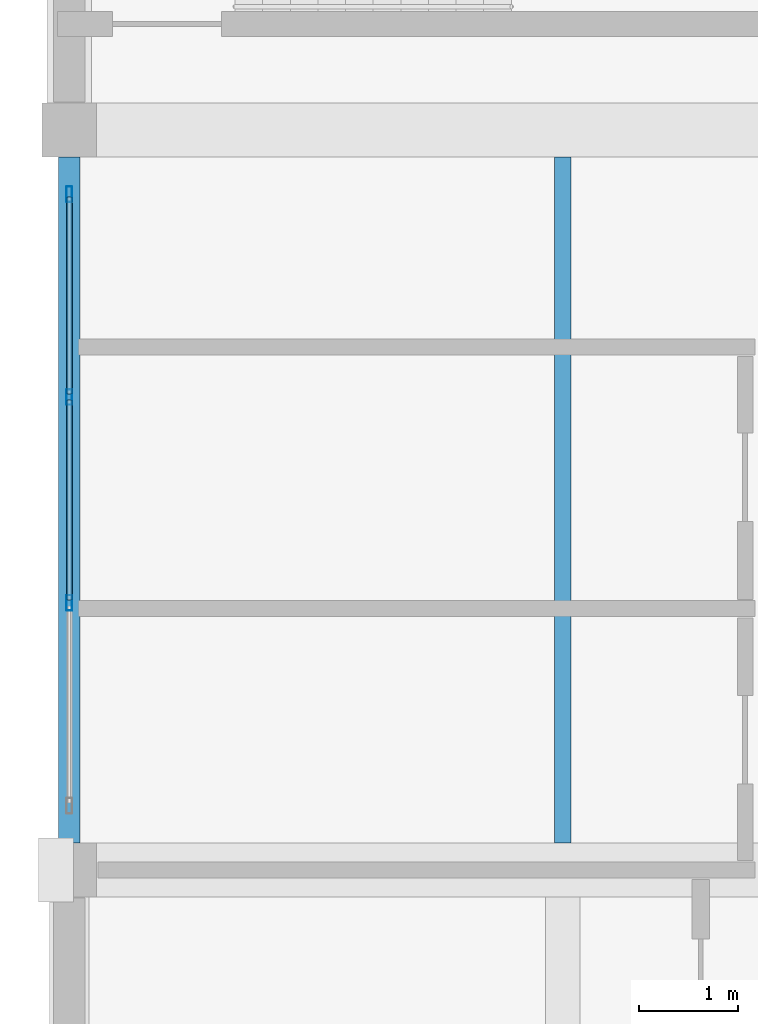
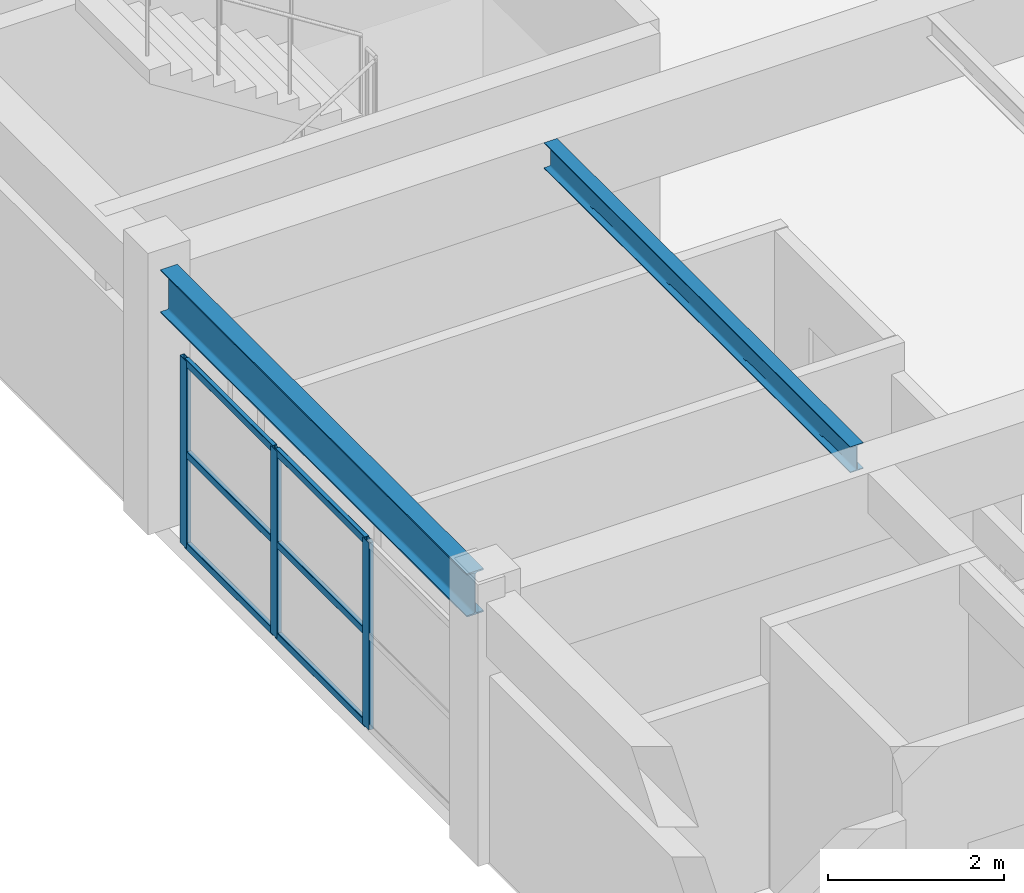
# One storey, part 22 of 101: 9 members, 2 beams, 1 element without a shape of its own.
"""IFC4 building model written with IfcOpenShell, lengths in metres."""

from ifc_helpers import new_model, si_unit, direction, frame, origin, origin_2d, place, context, subcontext, project, spatial, hollow_rectangle, i_section, extrude, material, material_profile, profile_set, type_object, element, aggregate, save


model = new_model("IFC4")

# Units and contexts
model_context = context("Model", 3, precision=1e-05, world=origin(), true_north=direction((0.0, 1.0)))
body_context = subcontext(model_context, "Body", "Model", "MODEL_VIEW")
ifc_project = project(units=[si_unit("LENGTHUNIT", "METRE"), si_unit("AREAUNIT", "SQUARE_METRE"), si_unit("VOLUMEUNIT", "CUBIC_METRE"), si_unit("PLANEANGLEUNIT", "RADIAN"), si_unit("MASSUNIT", "GRAM", prefix="KILO")], contexts=[model_context])

# Site, building, storey
site_placement = place(None, origin())
site = spatial("IfcSite", under=ifc_project, at=site_placement, CompositionType="ELEMENT")
building_placement = place(site_placement, origin())
building = spatial("IfcBuilding", under=site, at=building_placement, Name="Qasida Concert Hall", CompositionType="ELEMENT")
storey_placement = place(building_placement, frame((0.0, 0.0, 13.199951171875)))
storey = spatial("IfcBuildingStorey", under=building, at=storey_placement, Name="L03", CompositionType="ELEMENT", Elevation=13.199951171875)

# Beams
ifc_material_1 = material(Name="Steel S355J2", Category="steel")
ifc_material_profile_1 = material_profile(ifc_material_1, i_section(OverallWidth=0.169921875, OverallDepth=0.360107421875, WebThickness=0.008056640625, FlangeThickness=0.0126953125, FilletRadius=0.01806640625, at=origin_2d()), Name="IPE 360")
ifc_profile_set_1 = profile_set([ifc_material_profile_1], Name="Steel S355J2")
beam_type_1 = type_object("IfcBeamType", Name="BM-J2", PredefinedType="JOIST", material=ifc_profile_set_1)
beam_1_placement = place(storey_placement, frame((5.0, 37.77490234375, 3.43994140625), z_axis=(0.0, 1.0, 0.0), x_axis=(-1.0, 0.0, 0.0)))
element("IfcBeam", 1, at=beam_1_placement, inside=storey, type_object=beam_type_1, Name="L03 secondary joist 1641", PredefinedType="JOIST", context=body_context, shape_type="SweptSolid", body=[
    extrude(i_section(OverallWidth=0.169921875, OverallDepth=0.360107421875, WebThickness=0.008056640625, FlangeThickness=0.0126953125, FilletRadius=0.01806640625, at=origin_2d()), origin(), (0.0, 0.0, 1.0), 6.9501953125),
])
ifc_material_profile_2 = material_profile(ifc_material_1, i_section(OverallWidth=0.219970703125, OverallDepth=0.60009765625, WebThickness=0.011962890625, FlangeThickness=0.01904296875, FilletRadius=0.02392578125, at=origin_2d()), Name="IPE 600")
ifc_profile_set_2 = profile_set([ifc_material_profile_2], Name="Steel S355J2")
beam_type_2 = type_object("IfcBeamType", Name="BM-SP3", PredefinedType="SPANDREL", material=ifc_profile_set_2)
beam_2_placement = place(storey_placement, frame((0.0, 37.77490234375, 3.320068359375), z_axis=(0.0, 1.0, 0.0), x_axis=(-1.0, 0.0, 0.0)))
element("IfcBeam", 2, at=beam_2_placement, inside=storey, type_object=beam_type_2, Name="L03 girder 1619", PredefinedType="SPANDREL", context=body_context, shape_type="SweptSolid", body=[
    extrude(i_section(OverallWidth=0.219970703125, OverallDepth=0.60009765625, WebThickness=0.011962890625, FlangeThickness=0.01904296875, FilletRadius=0.02392578125, at=origin_2d()), origin(), (0.0, 0.0, 1.0), 6.9501953125),
])

# Curtain wall, members
ifc_material_2 = material(Name="Architectural bronze-anodized aluminium and low-E glass", Category="aluminium")
curtain_wall_type = type_object("IfcCurtainWallType", Name="CW-09", PredefinedType="NOTDEFINED", material=ifc_material_2)
curtain_wall_placement = place(storey_placement, origin())
curtain_wall = element("IfcCurtainWall", 3, at=curtain_wall_placement, inside=storey, type_object=curtain_wall_type, Name="L03 curtain wall CW-09 0127", PredefinedType="NOTDEFINED")
ifc_material_3 = material(Name="Architectural bronze-anodized aluminium EN AW-6063", Category="aluminium")
ifc_material_profile_3 = material_profile(ifc_material_3, hollow_rectangle(XDim=0.06005859375, YDim=0.159912109375, WallThickness=0.00390625, InnerFilletRadius=0.00390625, OuterFilletRadius=0.008056640625, at=origin_2d()), Name="CWM 160x60x4")
ifc_profile_set_3 = profile_set([ifc_material_profile_3], Name="Architectural bronze-anodized aluminium EN AW-6063")
member_type_1 = type_object("IfcMemberType", Name="MB-CWM-3", PredefinedType="MULLION", material=ifc_profile_set_3)
member_1_placement = place(storey_placement, frame((0.0, 40.206787109375, 0.0), z_axis=(0.0, 0.0, 1.0), x_axis=(-1.0, 0.0, 0.0)))
member_1 = element("IfcMember", 4, at=member_1_placement, type_object=member_type_1, Name="CW-09 mullion 2", PredefinedType="MULLION", context=body_context, shape_type="SweptSolid", body=[
    extrude(hollow_rectangle(XDim=0.06005859375, YDim=0.159912109375, WallThickness=0.00390625, InnerFilletRadius=0.00390625, OuterFilletRadius=0.008056640625, at=origin_2d()), origin(), (0.0, 0.0, 1.0), 2.590087890625),
])
member_2_placement = place(storey_placement, frame((0.0, 42.293212890625, 0.0), z_axis=(0.0, 0.0, 1.0), x_axis=(-1.0, 0.0, 0.0)))
member_2 = element("IfcMember", 5, at=member_2_placement, type_object=member_type_1, Name="CW-09 mullion 3", PredefinedType="MULLION", context=body_context, shape_type="SweptSolid", body=[
    extrude(hollow_rectangle(XDim=0.06005859375, YDim=0.159912109375, WallThickness=0.00390625, InnerFilletRadius=0.00390625, OuterFilletRadius=0.008056640625, at=origin_2d()), origin(), (0.0, 0.0, 1.0), 2.590087890625),
])
member_3_placement = place(storey_placement, frame((0.0, 44.35009765625, 0.0), z_axis=(0.0, 0.0, 1.0), x_axis=(-1.0, 0.0, 0.0)))
member_3 = element("IfcMember", 6, at=member_3_placement, type_object=member_type_1, Name="CW-09 mullion 4", PredefinedType="MULLION", context=body_context, shape_type="SweptSolid", body=[
    extrude(hollow_rectangle(XDim=0.06005859375, YDim=0.159912109375, WallThickness=0.00390625, InnerFilletRadius=0.00390625, OuterFilletRadius=0.008056640625, at=origin_2d()), origin(), (0.0, 0.0, 1.0), 2.590087890625),
])
ifc_material_profile_4 = material_profile(ifc_material_3, hollow_rectangle(XDim=0.06005859375, YDim=0.10009765625, WallThickness=0.00341796875, InnerFilletRadius=0.00341796875, OuterFilletRadius=0.007080078125, at=origin_2d()), Name="CWT 100x60x3.5")
ifc_profile_set_4 = profile_set([ifc_material_profile_4], Name="Architectural bronze-anodized aluminium EN AW-6063")
member_type_2 = type_object("IfcMemberType", Name="MB-CWT-3", PredefinedType="USERDEFINED", material=ifc_profile_set_4)
member_4_placement = place(storey_placement, frame((0.0, 40.236572265625, 0.030029296875), z_axis=(0.0, 1.0, 0.0), x_axis=(-1.0, 0.0, 0.0)))
member_4 = element("IfcMember", 7, at=member_4_placement, type_object=member_type_2, Name="CW-09 transom 2.1", ObjectType="TRANSOM", PredefinedType="USERDEFINED", context=body_context, shape_type="SweptSolid", body=[
    extrude(hollow_rectangle(XDim=0.06005859375, YDim=0.10009765625, WallThickness=0.00341796875, InnerFilletRadius=0.00341796875, OuterFilletRadius=0.007080078125, at=origin_2d()), origin(), (0.0, 0.0, 1.0), 2.02685546875),
])
member_5_placement = place(storey_placement, frame((0.0, 40.236572265625, 1.295166015625), z_axis=(0.0, 1.0, 0.0), x_axis=(-1.0, 0.0, 0.0)))
member_5 = element("IfcMember", 8, at=member_5_placement, type_object=member_type_2, Name="CW-09 transom 2.2", ObjectType="TRANSOM", PredefinedType="USERDEFINED", context=body_context, shape_type="SweptSolid", body=[
    extrude(hollow_rectangle(XDim=0.06005859375, YDim=0.10009765625, WallThickness=0.00341796875, InnerFilletRadius=0.00341796875, OuterFilletRadius=0.007080078125, at=origin_2d()), origin(), (0.0, 0.0, 1.0), 2.02685546875),
])
member_6_placement = place(storey_placement, frame((0.0, 40.236572265625, 2.56005859375), z_axis=(0.0, 1.0, 0.0), x_axis=(-1.0, 0.0, 0.0)))
member_6 = element("IfcMember", 9, at=member_6_placement, type_object=member_type_2, Name="CW-09 transom 2.3", ObjectType="TRANSOM", PredefinedType="USERDEFINED", context=body_context, shape_type="SweptSolid", body=[
    extrude(hollow_rectangle(XDim=0.06005859375, YDim=0.10009765625, WallThickness=0.00341796875, InnerFilletRadius=0.00341796875, OuterFilletRadius=0.007080078125, at=origin_2d()), origin(), (0.0, 0.0, 1.0), 2.02685546875),
])
member_7_placement = place(storey_placement, frame((0.0, 42.3232421875, 0.030029296875), z_axis=(0.0, 1.0, 0.0), x_axis=(-1.0, 0.0, 0.0)))
member_7 = element("IfcMember", 10, at=member_7_placement, type_object=member_type_2, Name="CW-09 transom 3.1", ObjectType="TRANSOM", PredefinedType="USERDEFINED", context=body_context, shape_type="SweptSolid", body=[
    extrude(hollow_rectangle(XDim=0.06005859375, YDim=0.10009765625, WallThickness=0.00341796875, InnerFilletRadius=0.00341796875, OuterFilletRadius=0.007080078125, at=origin_2d()), origin(), (0.0, 0.0, 1.0), 1.996826171875),
])
member_8_placement = place(storey_placement, frame((0.0, 42.3232421875, 1.295166015625), z_axis=(0.0, 1.0, 0.0), x_axis=(-1.0, 0.0, 0.0)))
member_8 = element("IfcMember", 11, at=member_8_placement, type_object=member_type_2, Name="CW-09 transom 3.2", ObjectType="TRANSOM", PredefinedType="USERDEFINED", context=body_context, shape_type="SweptSolid", body=[
    extrude(hollow_rectangle(XDim=0.06005859375, YDim=0.10009765625, WallThickness=0.00341796875, InnerFilletRadius=0.00341796875, OuterFilletRadius=0.007080078125, at=origin_2d()), origin(), (0.0, 0.0, 1.0), 1.996826171875),
])
member_9_placement = place(storey_placement, frame((0.0, 42.3232421875, 2.56005859375), z_axis=(0.0, 1.0, 0.0), x_axis=(-1.0, 0.0, 0.0)))
member_9 = element("IfcMember", 12, at=member_9_placement, type_object=member_type_2, Name="CW-09 transom 3.3", ObjectType="TRANSOM", PredefinedType="USERDEFINED", context=body_context, shape_type="SweptSolid", body=[
    extrude(hollow_rectangle(XDim=0.06005859375, YDim=0.10009765625, WallThickness=0.00341796875, InnerFilletRadius=0.00341796875, OuterFilletRadius=0.007080078125, at=origin_2d()), origin(), (0.0, 0.0, 1.0), 1.996826171875),
])
aggregate(curtain_wall, [member_1, member_2, member_3, member_4, member_5, member_6, member_7, member_8, member_9])

save(model, "model.ifc")
